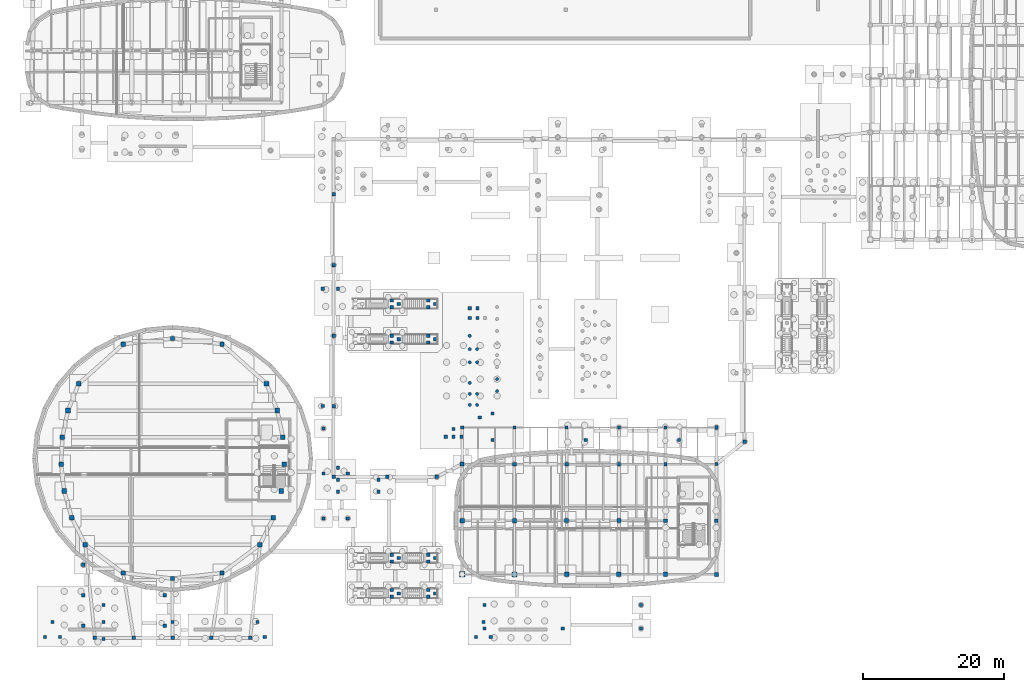
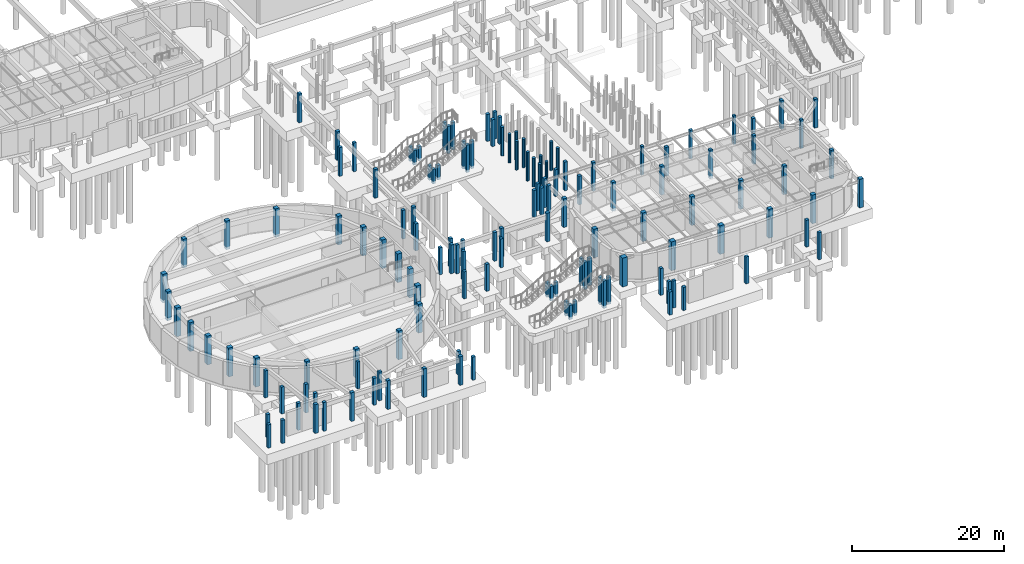
# One storey, part 9 of 45: 141 columns.
"""IFC4 building model written with IfcOpenShell, lengths in metres."""

from ifc_helpers import new_model, si_unit, direction, frame, origin, origin_2d, place, context, subcontext, project, spatial, rectangle, circle, extrude, material, material_profile, profile_set, type_object, element, save


model = new_model("IFC4")

# Units and contexts
model_context = context("Model", 3, precision=1e-05, world=origin(), true_north=direction((0.0, 1.0)))
body_context = subcontext(model_context, "Body", "Model", "MODEL_VIEW")
ifc_project = project(units=[si_unit("LENGTHUNIT", "METRE"), si_unit("AREAUNIT", "SQUARE_METRE"), si_unit("VOLUMEUNIT", "CUBIC_METRE"), si_unit("PLANEANGLEUNIT", "RADIAN"), si_unit("MASSUNIT", "GRAM", prefix="KILO")], contexts=[model_context])

# Site, building, storey
site_placement = place(None, origin())
site = spatial("IfcSite", under=ifc_project, at=site_placement, CompositionType="ELEMENT")
building_placement = place(site_placement, origin())
building = spatial("IfcBuilding", under=site, at=building_placement, Name="Corveleigh Park Community Centre", CompositionType="ELEMENT")
storey_placement = place(building_placement, frame((0.0, 0.0, -4.199951171875)))
storey = spatial("IfcBuildingStorey", under=building, at=storey_placement, Name="B1", CompositionType="ELEMENT", Elevation=-4.199951171875)

# Columns
ifc_material = material(Name="Concrete C40/50", Category="concrete")
ifc_material_profile_1 = material_profile(ifc_material, rectangle(XDim=0.3798828125, YDim=0.3798828125, at=origin_2d()), Name="RC-380x380", Category="concrete")
ifc_profile_set_1 = profile_set([ifc_material_profile_1], Name="Concrete C40/50")
column_type_1 = type_object("IfcColumnType", Name="COL-RC-380x380", PredefinedType="COLUMN", material=ifc_profile_set_1)
column_1_placement = place(storey_placement, frame((100.800048828125, 32.0, -0.4150390625), z_axis=(0.0, 0.0, 1.0), x_axis=(1.0, 0.0, 0.0)))
element("IfcColumn", 1, at=column_1_placement, inside=storey, type_object=column_type_1, Name="Column V3-X4Y3 B1", PredefinedType="COLUMN", context=body_context, shape_type="SweptSolid", body=[
    extrude(rectangle(XDim=0.3798828125, YDim=0.3798828125, at=origin_2d()), origin(), (0.0, 0.0, 1.0), 4.614990234375),
])
ifc_material_profile_2 = material_profile(ifc_material, rectangle(XDim=0.39990234375, YDim=0.39990234375, at=origin_2d()), Name="RC-400x400", Category="concrete")
ifc_profile_set_2 = profile_set([ifc_material_profile_2], Name="Concrete C40/50")
column_type_2 = type_object("IfcColumnType", Name="COL-RC-400x400", PredefinedType="COLUMN", material=ifc_profile_set_2)
column_2_placement = place(storey_placement, frame((94.199951171875, 32.0, -0.4150390625), z_axis=(0.0, 0.0, 1.0), x_axis=(1.0, 0.0, 0.0)))
element("IfcColumn", 2, at=column_2_placement, inside=storey, type_object=column_type_2, Name="Column V3-X3Y3 B1", PredefinedType="COLUMN", context=body_context, shape_type="SweptSolid", body=[
    extrude(rectangle(XDim=0.39990234375, YDim=0.39990234375, at=origin_2d()), origin(), (0.0, 0.0, 1.0), 4.614990234375),
])
ifc_material_profile_3 = material_profile(ifc_material, rectangle(XDim=0.39990234375, YDim=0.550048828125, at=origin_2d()), Name="RC-400x550", Category="concrete")
ifc_profile_set_3 = profile_set([ifc_material_profile_3], Name="Concrete C40/50")
column_type_3 = type_object("IfcColumnType", Name="COL-RC-400x550", PredefinedType="COLUMN", material=ifc_profile_set_3)
column_3_placement = place(storey_placement, frame((108.0, 32.0, -0.4150390625), z_axis=(0.0, 0.0, 1.0), x_axis=(1.0, 0.0, 0.0)))
element("IfcColumn", 3, at=column_3_placement, inside=storey, type_object=column_type_3, Name="Column V3-X5Y3 B1", PredefinedType="COLUMN", context=body_context, shape_type="SweptSolid", body=[
    extrude(rectangle(XDim=0.39990234375, YDim=0.550048828125, at=origin_2d()), origin(), (0.0, 0.0, 1.0), 4.614990234375),
])
ifc_material_profile_4 = material_profile(ifc_material, rectangle(XDim=0.425048828125, YDim=0.425048828125, at=origin_2d()), Name="RC-425x425", Category="concrete")
ifc_profile_set_4 = profile_set([ifc_material_profile_4], Name="Concrete C40/50")
column_type_4 = type_object("IfcColumnType", Name="COL-RC-425x425", PredefinedType="COLUMN", material=ifc_profile_set_4)
for number, where, z_axis, x_axis, name in (
    (4, (86.800048828125, 32.0, -0.4150390625), (0.0, 0.0, 1.0), (1.0, 0.0, 0.0), "Column V3-X2Y3 B1"),
    (5, (108.0, 26.800048828125, -0.4150390625), (0.0, 0.0, 1.0), (1.0, 0.0, 0.0), "Column V3-X5Y2 B1"),
):
    element("IfcColumn", number, at=place(storey_placement, frame(where, z_axis=z_axis, x_axis=x_axis)), inside=storey, type_object=column_type_4, Name=name, PredefinedType="COLUMN", context=body_context, shape_type="SweptSolid", body=[
        extrude(rectangle(XDim=0.425048828125, YDim=0.425048828125, at=origin_2d()), origin(), (0.0, 0.0, 1.0), 4.614990234375),
    ])
ifc_material_profile_5 = material_profile(ifc_material, rectangle(XDim=0.449951171875, YDim=0.449951171875, at=origin_2d()), Name="RC-450x450", Category="concrete")
ifc_profile_set_5 = profile_set([ifc_material_profile_5], Name="Concrete C40/50")
column_type_5 = type_object("IfcColumnType", Name="COL-RC-450x450", PredefinedType="COLUMN", material=ifc_profile_set_5)
for number, where, z_axis, x_axis, name in (
    (6, (79.39990234375, 32.0, -0.4150390625), (0.0, 0.0, 1.0), (1.0, 0.0, 0.0), "Column V3-X1Y3 B1"),
    (7, (100.800048828125, 26.800048828125, -0.4150390625), (0.0, 0.0, 1.0), (1.0, 0.0, 0.0), "Column V3-X4Y2 B1"),
):
    element("IfcColumn", number, at=place(storey_placement, frame(where, z_axis=z_axis, x_axis=x_axis)), inside=storey, type_object=column_type_5, Name=name, PredefinedType="COLUMN", context=body_context, shape_type="SweptSolid", body=[
        extrude(rectangle(XDim=0.449951171875, YDim=0.449951171875, at=origin_2d()), origin(), (0.0, 0.0, 1.0), 4.614990234375),
    ])
for number, where, z_axis, x_axis, name in (
    (8, (62.030029296875, 8.02001953125, -0.4150390625), (0.0, 0.0, 1.0), (1.0, 0.0, 0.0), "Promenade ST7 landing pier 4"),
    (9, (62.030029296875, 8.97998046875, -0.4150390625), (0.0, 0.0, 1.0), (1.0, 0.0, 0.0), "Promenade ST7 landing pier 5"),
    (10, (63.010009765625, 8.5, -0.4150390625), (0.0, 0.0, 1.0), (1.0, 0.0, 0.0), "Promenade ST7 landing pier 6"),
):
    element("IfcColumn", number, at=place(storey_placement, frame(where, z_axis=z_axis, x_axis=x_axis)), inside=storey, type_object=column_type_5, Name=name, PredefinedType="COLUMN", context=body_context, shape_type="SweptSolid", body=[
        extrude(rectangle(XDim=0.449951171875, YDim=0.449951171875, at=origin_2d()), origin(), (0.0, 0.0, 1.0), 2.319091796875),
    ])
for number, where, z_axis, x_axis, name in (
    (11, (67.18994140625, 8.02001953125, -0.4150390625), (0.0, 0.0, 1.0), (1.0, 0.0, 0.0), "Promenade ST7 landing pier 7"),
    (12, (67.18994140625, 8.97998046875, -0.4150390625), (0.0, 0.0, 1.0), (1.0, 0.0, 0.0), "Promenade ST7 landing pier 8"),
    (13, (68.139892578125, 8.5, -0.4150390625), (0.0, 0.0, 1.0), (1.0, 0.0, 0.0), "Promenade ST7 landing pier 9"),
):
    element("IfcColumn", number, at=place(storey_placement, frame(where, z_axis=z_axis, x_axis=x_axis)), inside=storey, type_object=column_type_5, Name=name, PredefinedType="COLUMN", context=body_context, shape_type="SweptSolid", body=[
        extrude(rectangle(XDim=0.449951171875, YDim=0.449951171875, at=origin_2d()), origin(), (0.0, 0.0, 1.0), 4.4189453125),
    ])
for number, where, z_axis, x_axis, name in (
    (14, (62.030029296875, 13.02001953125, -0.4150390625), (0.0, 0.0, 1.0), (1.0, 0.0, 0.0), "Promenade ST8 landing pier 13"),
    (15, (62.030029296875, 13.97998046875, -0.4150390625), (0.0, 0.0, 1.0), (1.0, 0.0, 0.0), "Promenade ST8 landing pier 14"),
    (16, (63.010009765625, 13.5, -0.4150390625), (0.0, 0.0, 1.0), (1.0, 0.0, 0.0), "Promenade ST8 landing pier 15"),
):
    element("IfcColumn", number, at=place(storey_placement, frame(where, z_axis=z_axis, x_axis=x_axis)), inside=storey, type_object=column_type_5, Name=name, PredefinedType="COLUMN", context=body_context, shape_type="SweptSolid", body=[
        extrude(rectangle(XDim=0.449951171875, YDim=0.449951171875, at=origin_2d()), origin(), (0.0, 0.0, 1.0), 2.319091796875),
    ])
for number, where, z_axis, x_axis, name in (
    (17, (67.18994140625, 13.02001953125, -0.4150390625), (0.0, 0.0, 1.0), (1.0, 0.0, 0.0), "Promenade ST8 landing pier 16"),
    (18, (67.18994140625, 13.97998046875, -0.4150390625), (0.0, 0.0, 1.0), (1.0, 0.0, 0.0), "Promenade ST8 landing pier 17"),
    (19, (68.139892578125, 13.5, -0.4150390625), (0.0, 0.0, 1.0), (1.0, 0.0, 0.0), "Promenade ST8 landing pier 18"),
):
    element("IfcColumn", number, at=place(storey_placement, frame(where, z_axis=z_axis, x_axis=x_axis)), inside=storey, type_object=column_type_5, Name=name, PredefinedType="COLUMN", context=body_context, shape_type="SweptSolid", body=[
        extrude(rectangle(XDim=0.449951171875, YDim=0.449951171875, at=origin_2d()), origin(), (0.0, 0.0, 1.0), 4.4189453125),
    ])
for number, where, z_axis, x_axis, name in (
    (20, (62.030029296875, 44.02001953125, -0.4150390625), (0.0, 0.0, 1.0), (1.0, 0.0, 0.0), "Promenade ST9 landing pier 22"),
    (21, (62.030029296875, 44.97998046875, -0.4150390625), (0.0, 0.0, 1.0), (1.0, 0.0, 0.0), "Promenade ST9 landing pier 23"),
    (22, (63.010009765625, 44.5, -0.4150390625), (0.0, 0.0, 1.0), (1.0, 0.0, 0.0), "Promenade ST9 landing pier 24"),
):
    element("IfcColumn", number, at=place(storey_placement, frame(where, z_axis=z_axis, x_axis=x_axis)), inside=storey, type_object=column_type_5, Name=name, PredefinedType="COLUMN", context=body_context, shape_type="SweptSolid", body=[
        extrude(rectangle(XDim=0.449951171875, YDim=0.449951171875, at=origin_2d()), origin(), (0.0, 0.0, 1.0), 2.319091796875),
    ])
for number, where, z_axis, x_axis, name in (
    (23, (67.18994140625, 44.02001953125, -0.4150390625), (0.0, 0.0, 1.0), (1.0, 0.0, 0.0), "Promenade ST9 landing pier 25"),
    (24, (67.18994140625, 44.97998046875, -0.4150390625), (0.0, 0.0, 1.0), (1.0, 0.0, 0.0), "Promenade ST9 landing pier 26"),
    (25, (68.139892578125, 44.5, -0.4150390625), (0.0, 0.0, 1.0), (1.0, 0.0, 0.0), "Promenade ST9 landing pier 27"),
):
    element("IfcColumn", number, at=place(storey_placement, frame(where, z_axis=z_axis, x_axis=x_axis)), inside=storey, type_object=column_type_5, Name=name, PredefinedType="COLUMN", context=body_context, shape_type="SweptSolid", body=[
        extrude(rectangle(XDim=0.449951171875, YDim=0.449951171875, at=origin_2d()), origin(), (0.0, 0.0, 1.0), 4.4189453125),
    ])
for number, where, z_axis, x_axis, name in (
    (26, (62.030029296875, 49.02001953125, -0.4150390625), (0.0, 0.0, 1.0), (1.0, 0.0, 0.0), "Promenade ST10 landing pier 31"),
    (27, (62.030029296875, 49.97998046875, -0.4150390625), (0.0, 0.0, 1.0), (1.0, 0.0, 0.0), "Promenade ST10 landing pier 32"),
    (28, (63.010009765625, 49.5, -0.4150390625), (0.0, 0.0, 1.0), (1.0, 0.0, 0.0), "Promenade ST10 landing pier 33"),
):
    element("IfcColumn", number, at=place(storey_placement, frame(where, z_axis=z_axis, x_axis=x_axis)), inside=storey, type_object=column_type_5, Name=name, PredefinedType="COLUMN", context=body_context, shape_type="SweptSolid", body=[
        extrude(rectangle(XDim=0.449951171875, YDim=0.449951171875, at=origin_2d()), origin(), (0.0, 0.0, 1.0), 2.319091796875),
    ])
for number, where, z_axis, x_axis, name in (
    (29, (67.18994140625, 49.02001953125, -0.4150390625), (0.0, 0.0, 1.0), (1.0, 0.0, 0.0), "Promenade ST10 landing pier 34"),
    (30, (67.18994140625, 49.97998046875, -0.4150390625), (0.0, 0.0, 1.0), (1.0, 0.0, 0.0), "Promenade ST10 landing pier 35"),
    (31, (68.139892578125, 49.5, -0.4150390625), (0.0, 0.0, 1.0), (1.0, 0.0, 0.0), "Promenade ST10 landing pier 36"),
):
    element("IfcColumn", number, at=place(storey_placement, frame(where, z_axis=z_axis, x_axis=x_axis)), inside=storey, type_object=column_type_5, Name=name, PredefinedType="COLUMN", context=body_context, shape_type="SweptSolid", body=[
        extrude(rectangle(XDim=0.449951171875, YDim=0.449951171875, at=origin_2d()), origin(), (0.0, 0.0, 1.0), 4.4189453125),
    ])
for number, where, z_axis, x_axis, name in (
    (32, (12.949951171875, 2.35009765625, -0.4150390625), (0.0, 0.0, 1.0), (1.0, 0.0, 0.0), "External deck support pier 55 B1"),
    (33, (15.050048828125, 2.35009765625, -0.4150390625), (0.0, 0.0, 1.0), (1.0, 0.0, 0.0), "External deck support pier 56 B1"),
    (34, (14.0, 4.449951171875, -0.4150390625), (0.0, 0.0, 1.0), (1.0, 0.0, 0.0), "External deck support pier 57 B1"),
    (35, (44.050048828125, 2.35009765625, -0.4150390625), (0.0, 0.0, 1.0), (1.0, 0.0, 0.0), "External deck support pier 58 B1"),
    (36, (43.0, 4.449951171875, -0.4150390625), (0.0, 0.0, 1.0), (1.0, 0.0, 0.0), "External deck support pier 59 B1"),
    (37, (73.949951171875, 2.35009765625, -0.4150390625), (0.0, 0.0, 1.0), (1.0, 0.0, 0.0), "External deck support pier 60 B1"),
    (38, (76.050048828125, 2.35009765625, -0.4150390625), (0.0, 0.0, 1.0), (1.0, 0.0, 0.0), "External deck support pier 61 B1"),
    (39, (75.0, 4.449951171875, -0.4150390625), (0.0, 0.0, 1.0), (1.0, 0.0, 0.0), "External deck support pier 62 B1"),
):
    element("IfcColumn", number, at=place(storey_placement, frame(where, z_axis=z_axis, x_axis=x_axis)), inside=storey, type_object=column_type_5, Name=name, PredefinedType="COLUMN", context=body_context, shape_type="SweptSolid", body=[
        extrude(rectangle(XDim=0.449951171875, YDim=0.449951171875, at=origin_2d()), origin(), (0.0, 0.0, 1.0), 3.73291015625),
    ])
for number, where, z_axis, x_axis, name in (
    (40, (76.283935546875, 30.241943359375, -0.4150390625), (0.0, 0.0, 1.0), (1.0, 0.0, 0.0), "External deck support pier 127 B1"),
    (41, (76.283935546875, 33.967041015625, -0.4150390625), (0.0, 0.0, 1.0), (1.0, 0.0, 0.0), "External deck support pier 128 B1"),
    (42, (89.5, 30.241943359375, -0.4150390625), (0.0, 0.0, 1.0), (1.0, 0.0, 0.0), "External deck support pier 129 B1"),
    (43, (102.716064453125, 30.241943359375, -0.4150390625), (0.0, 0.0, 1.0), (1.0, 0.0, 0.0), "External deck support pier 130 B1"),
):
    element("IfcColumn", number, at=place(storey_placement, frame(where, z_axis=z_axis, x_axis=x_axis)), inside=storey, type_object=column_type_5, Name=name, PredefinedType="COLUMN", context=body_context, shape_type="SweptSolid", body=[
        extrude(rectangle(XDim=0.449951171875, YDim=0.449951171875, at=origin_2d()), origin(), (0.0, 0.0, 1.0), 4.614990234375),
    ])
for number, where, z_axis, x_axis, name in (
    (44, (18.35205078125, 3.922119140625, -0.4150390625), (0.0, 0.0, 1.0), (1.0, 0.0, 0.0), "External deck support pier 141 B1"),
    (45, (18.35205078125, 8.235107421875, -0.4150390625), (0.0, 0.0, 1.0), (1.0, 0.0, 0.0), "External deck support pier 142 B1"),
    (46, (18.35205078125, 12.548095703125, -0.4150390625), (0.0, 0.0, 1.0), (1.0, 0.0, 0.0), "External deck support pier 143 B1"),
    (47, (29.89306640625, 3.922119140625, -0.4150390625), (0.0, 0.0, 1.0), (1.0, 0.0, 0.0), "External deck support pier 144 B1"),
    (48, (29.89306640625, 8.235107421875, -0.4150390625), (0.0, 0.0, 1.0), (1.0, 0.0, 0.0), "External deck support pier 145 B1"),
    (49, (52.367919921875, 19.125, -0.4150390625), (0.0, 0.0, 1.0), (1.0, 0.0, 0.0), "External deck support pier 146 B1"),
    (50, (52.367919921875, 25.49609375, -0.4150390625), (0.0, 0.0, 1.0), (1.0, 0.0, 0.0), "External deck support pier 147 B1"),
    (51, (52.367919921875, 31.866943359375, -0.4150390625), (0.0, 0.0, 1.0), (1.0, 0.0, 0.0), "External deck support pier 148 B1"),
    (52, (55.803955078125, 19.125, -0.4150390625), (0.0, 0.0, 1.0), (1.0, 0.0, 0.0), "External deck support pier 149 B1"),
    (53, (55.803955078125, 25.49609375, -0.4150390625), (0.0, 0.0, 1.0), (1.0, 0.0, 0.0), "External deck support pier 150 B1"),
    (54, (75.169921875, 3.535888671875, -0.4150390625), (0.0, 0.0, 1.0), (1.0, 0.0, 0.0), "External deck support pier 151 B1"),
    (55, (75.169921875, 6.866943359375, -0.4150390625), (0.0, 0.0, 1.0), (1.0, 0.0, 0.0), "External deck support pier 152 B1"),
    (56, (86.25390625, 3.535888671875, -0.4150390625), (0.0, 0.0, 1.0), (1.0, 0.0, 0.0), "External deck support pier 153 B1"),
    (57, (97.337890625, 3.535888671875, -0.4150390625), (0.0, 0.0, 1.0), (1.0, 0.0, 0.0), "External deck support pier 154 B1"),
    (58, (97.337890625, 6.866943359375, -0.4150390625), (0.0, 0.0, 1.0), (1.0, 0.0, 0.0), "External deck support pier 155 B1"),
    (59, (74.501953125, 33.423095703125, -0.4150390625), (0.0, 0.0, 1.0), (1.0, 0.0, 0.0), "External deck support pier 156 B1"),
    (60, (70.7890625, 30.696044921875, -0.4150390625), (0.0, 0.0, 1.0), (1.0, 0.0, 0.0), "External deck support pier 157 B1"),
    (61, (71.888916015625, 30.696044921875, -0.4150390625), (0.0, 0.0, 1.0), (1.0, 0.0, 0.0), "External deck support pier 158 B1"),
    (62, (70.7890625, 31.7958984375, -0.4150390625), (0.0, 0.0, 1.0), (1.0, 0.0, 0.0), "External deck support pier 159 B1"),
    (63, (69.68896484375, 30.696044921875, -0.4150390625), (0.0, 0.0, 1.0), (1.0, 0.0, 0.0), "External deck support pier 160 B1"),
    (64, (73.0791015625, 47.513916015625, -0.4150390625), (0.0, 0.0, 1.0), (1.0, 0.0, 0.0), "External deck support pier 161 B1"),
    (65, (73.0791015625, 48.885986328125, -0.4150390625), (0.0, 0.0, 1.0), (1.0, 0.0, 0.0), "External deck support pier 162 B1"),
    (66, (74.14990234375, 47.513916015625, -0.4150390625), (0.0, 0.0, 1.0), (1.0, 0.0, 0.0), "External deck support pier 163 B1"),
    (67, (74.14990234375, 48.885986328125, -0.4150390625), (0.0, 0.0, 1.0), (1.0, 0.0, 0.0), "External deck support pier 164 B1"),
):
    element("IfcColumn", number, at=place(storey_placement, frame(where, z_axis=z_axis, x_axis=x_axis)), inside=storey, type_object=column_type_5, Name=name, PredefinedType="COLUMN", context=body_context, shape_type="SweptSolid", body=[
        extrude(rectangle(XDim=0.449951171875, YDim=0.449951171875, at=origin_2d()), origin(), (0.0, 0.0, 1.0), 4.3330078125),
    ])
for number, where, z_axis, x_axis, name in (
    (68, (54.39697265625, 22.89306640625, -0.4150390625), (0.0, 0.0, 1.0), (1.0, 0.0, 0.0), "External deck support pier 210 B1"),
    (69, (54.39697265625, 24.60009765625, -0.4150390625), (0.0, 0.0, 1.0), (1.0, 0.0, 0.0), "External deck support pier 211 B1"),
    (70, (54.39697265625, 26.306884765625, -0.4150390625), (0.0, 0.0, 1.0), (1.0, 0.0, 0.0), "External deck support pier 212 B1"),
    (71, (60.155029296875, 22.89306640625, -0.4150390625), (0.0, 0.0, 1.0), (1.0, 0.0, 0.0), "External deck support pier 213 B1"),
    (72, (60.155029296875, 24.60009765625, -0.4150390625), (0.0, 0.0, 1.0), (1.0, 0.0, 0.0), "External deck support pier 214 B1"),
    (73, (52.260986328125, 35.0380859375, -0.4150390625), (0.0, 0.0, 1.0), (1.0, 0.0, 0.0), "External deck support pier 215 B1"),
    (74, (52.260986328125, 51.64990234375, -0.4150390625), (0.0, 0.0, 1.0), (1.0, 0.0, 0.0), "External deck support pier 216 B1"),
    (75, (54.39990234375, 51.64990234375, -0.4150390625), (0.0, 0.0, 1.0), (1.0, 0.0, 0.0), "External deck support pier 218 B1"),
    (76, (21.2119140625, 2.0419921875, -0.4150390625), (0.0, 0.0, 1.0), (1.0, 0.0, 0.0), "External deck support pier 238 B1"),
    (77, (21.2119140625, 4.447998046875, -0.4150390625), (0.0, 0.0, 1.0), (1.0, 0.0, 0.0), "External deck support pier 239 B1"),
    (78, (21.2119140625, 6.85498046875, -0.4150390625), (0.0, 0.0, 1.0), (1.0, 0.0, 0.0), "External deck support pier 240 B1"),
    (79, (31.0, 4.447998046875, -0.4150390625), (0.0, 0.0, 1.0), (1.0, 0.0, 0.0), "External deck support pier 241 B1"),
):
    element("IfcColumn", number, at=place(storey_placement, frame(where, z_axis=z_axis, x_axis=x_axis)), inside=storey, type_object=column_type_5, Name=name, PredefinedType="COLUMN", context=body_context, shape_type="SweptSolid", body=[
        extrude(rectangle(XDim=0.449951171875, YDim=0.449951171875, at=origin_2d()), origin(), (0.0, 0.0, 1.0), 4.614990234375),
    ])
ifc_material_profile_6 = material_profile(ifc_material, rectangle(XDim=0.47509765625, YDim=0.47509765625, at=origin_2d()), Name="RC-475x475", Category="concrete")
ifc_profile_set_6 = profile_set([ifc_material_profile_6], Name="Concrete C40/50")
column_type_6 = type_object("IfcColumnType", Name="COL-RC-475x475", PredefinedType="COLUMN", material=ifc_profile_set_6)
for number, where, z_axis, x_axis, name in (
    (80, (72.0, 32.0, -0.4150390625), (0.0, 0.0, 1.0), (1.0, 0.0, 0.0), "Column V3-X0Y3 B1"),
    (81, (94.199951171875, 26.800048828125, -0.4150390625), (0.0, 0.0, 1.0), (1.0, 0.0, 0.0), "Column V3-X3Y2 B1"),
):
    element("IfcColumn", number, at=place(storey_placement, frame(where, z_axis=z_axis, x_axis=x_axis)), inside=storey, type_object=column_type_6, Name=name, PredefinedType="COLUMN", context=body_context, shape_type="SweptSolid", body=[
        extrude(rectangle(XDim=0.47509765625, YDim=0.47509765625, at=origin_2d()), origin(), (0.0, 0.0, 1.0), 4.614990234375),
    ])
ifc_material_profile_7 = material_profile(ifc_material, rectangle(XDim=0.5, YDim=0.5, at=origin_2d()), Name="RC-500x500", Category="concrete")
ifc_profile_set_7 = profile_set([ifc_material_profile_7], Name="Concrete C40/50")
column_type_7 = type_object("IfcColumnType", Name="COL-RC-500x500", PredefinedType="COLUMN", material=ifc_profile_set_7)
for number, where, z_axis, x_axis, name in (
    (82, (20.0, 2.199951171875, -0.4150390625), (0.0, 0.0, 1.0), (1.0, 0.0, 0.0), "Column V1-CAN1 B1"),
    (83, (25.5, 2.199951171875, -0.4150390625), (0.0, 0.0, 1.0), (1.0, 0.0, 0.0), "Column V1-CAN2 B1"),
    (84, (31.0, 2.199951171875, -0.4150390625), (0.0, 0.0, 1.0), (1.0, 0.0, 0.0), "Column V1-CAN3 B1"),
    (85, (36.5, 2.199951171875, -0.4150390625), (0.0, 0.0, 1.0), (1.0, 0.0, 0.0), "Column V1-CAN4 B1"),
    (86, (42.0, 2.199951171875, -0.4150390625), (0.0, 0.0, 1.0), (1.0, 0.0, 0.0), "Column V1-CAN5 B1"),
    (87, (86.800048828125, 26.800048828125, -0.4150390625), (0.0, 0.0, 1.0), (1.0, 0.0, 0.0), "Column V3-X2Y2 B1"),
    (88, (108.0, 18.800048828125, -0.4150390625), (0.0, 0.0, 1.0), (1.0, 0.0, 0.0), "Column V3-X5Y1 B1"),
    (89, (53.800048828125, 25.0, -0.4150390625), (0.0, 0.0, 1.0), (1.0, 0.0, 0.0), "Column V5-S1 B1"),
    (90, (61.39990234375, 25.0, -0.4150390625), (0.0, 0.0, 1.0), (1.0, 0.0, 0.0), "Column V5-S2 B1"),
    (91, (68.39990234375, 25.0, -0.4150390625), (0.0, 0.0, 1.0), (1.0, 0.0, 0.0), "Column V5-S3 B1"),
    (92, (53.800048828125, 35.0, -0.4150390625), (0.0, 0.0, 1.0), (1.0, 0.0, 0.0), "Column V5-W1 B1"),
    (93, (53.800048828125, 45.0, -0.4150390625), (0.0, 0.0, 1.0), (1.0, 0.0, 0.0), "Column V5-W2 B1"),
    (94, (53.800048828125, 55.0, -0.4150390625), (0.0, 0.0, 1.0), (1.0, 0.0, 0.0), "Column V5-W3 B1"),
    (95, (53.800048828125, 65.0, -0.4150390625), (0.0, 0.0, 1.0), (1.0, 0.0, 0.0), "Column V5-W4 B1"),
    (96, (112.0, 30.0, -0.4150390625), (0.0, 0.0, 1.0), (1.0, 0.0, 0.0), "Column V5-E4 B1"),
):
    element("IfcColumn", number, at=place(storey_placement, frame(where, z_axis=z_axis, x_axis=x_axis)), inside=storey, type_object=column_type_7, Name=name, PredefinedType="COLUMN", context=body_context, shape_type="SweptSolid", body=[
        extrude(rectangle(XDim=0.5, YDim=0.5, at=origin_2d()), origin(), (0.0, 0.0, 1.0), 4.614990234375),
    ])
ifc_material_profile_8 = material_profile(ifc_material, rectangle(XDim=0.52490234375, YDim=0.52490234375, at=origin_2d()), Name="RC-525x525", Category="concrete")
ifc_profile_set_8 = profile_set([ifc_material_profile_8], Name="Concrete C40/50")
column_type_8 = type_object("IfcColumnType", Name="COL-RC-525x525", PredefinedType="COLUMN", material=ifc_profile_set_8)
for number, where, z_axis, x_axis, name in (
    (97, (79.39990234375, 26.800048828125, -0.4150390625), (0.0, 0.0, 1.0), (1.0, 0.0, 0.0), "Column V3-X1Y2 B1"),
    (98, (100.800048828125, 18.800048828125, -0.4150390625), (0.0, 0.0, 1.0), (1.0, 0.0, 0.0), "Column V3-X4Y1 B1"),
):
    element("IfcColumn", number, at=place(storey_placement, frame(where, z_axis=z_axis, x_axis=x_axis)), inside=storey, type_object=column_type_8, Name=name, PredefinedType="COLUMN", context=body_context, shape_type="SweptSolid", body=[
        extrude(rectangle(XDim=0.52490234375, YDim=0.52490234375, at=origin_2d()), origin(), (0.0, 0.0, 1.0), 4.614990234375),
    ])
ifc_material_profile_9 = material_profile(ifc_material, rectangle(XDim=0.550048828125, YDim=0.550048828125, at=origin_2d()), Name="RC-550x550", Category="concrete")
ifc_profile_set_9 = profile_set([ifc_material_profile_9], Name="Concrete C40/50")
column_type_9 = type_object("IfcColumnType", Name="COL-RC-550x550", PredefinedType="COLUMN", material=ifc_profile_set_9)
for number, where, z_axis, x_axis, name in (
    (99, (72.0, 26.800048828125, -0.4150390625), (0.0, 0.0, 1.0), (1.0, 0.0, 0.0), "Column V3-X0Y2 B1"),
    (100, (94.199951171875, 18.800048828125, -0.4150390625), (0.0, 0.0, 1.0), (1.0, 0.0, 0.0), "Column V3-X3Y1 B1"),
):
    element("IfcColumn", number, at=place(storey_placement, frame(where, z_axis=z_axis, x_axis=x_axis)), inside=storey, type_object=column_type_9, Name=name, PredefinedType="COLUMN", context=body_context, shape_type="SweptSolid", body=[
        extrude(rectangle(XDim=0.550048828125, YDim=0.550048828125, at=origin_2d()), origin(), (0.0, 0.0, 1.0), 4.614990234375),
    ])
ifc_material_profile_10 = material_profile(ifc_material, rectangle(XDim=0.574951171875, YDim=0.574951171875, at=origin_2d()), Name="RC-575x575", Category="concrete")
ifc_profile_set_10 = profile_set([ifc_material_profile_10], Name="Concrete C40/50")
column_type_10 = type_object("IfcColumnType", Name="COL-RC-575x575", PredefinedType="COLUMN", material=ifc_profile_set_10)
for number, where, z_axis, x_axis, name in (
    (101, (86.800048828125, 18.800048828125, -0.4150390625), (0.0, 0.0, 1.0), (1.0, 0.0, 0.0), "Column V3-X2Y1 B1"),
    (102, (108.0, 11.199951171875, -0.4150390625), (0.0, 0.0, 1.0), (1.0, 0.0, 0.0), "Column V3-X5Y0 B1"),
):
    element("IfcColumn", number, at=place(storey_placement, frame(where, z_axis=z_axis, x_axis=x_axis)), inside=storey, type_object=column_type_10, Name=name, PredefinedType="COLUMN", context=body_context, shape_type="SweptSolid", body=[
        extrude(rectangle(XDim=0.574951171875, YDim=0.574951171875, at=origin_2d()), origin(), (0.0, 0.0, 1.0), 4.614990234375),
    ])
ifc_material_profile_11 = material_profile(ifc_material, rectangle(XDim=0.60009765625, YDim=0.60009765625, at=origin_2d()), Name="RC-600x600", Category="concrete")
ifc_profile_set_11 = profile_set([ifc_material_profile_11], Name="Concrete C40/50")
column_type_11 = type_object("IfcColumnType", Name="COL-RC-600x600", PredefinedType="COLUMN", material=ifc_profile_set_11)
for number, where, z_axis, x_axis, name in (
    (103, (24.0, 11.39990234375, -0.4150390625), (0.0, 0.0, 1.0), (1.0, 0.0, 0.0), "Column V1-S1 B1"),
    (104, (31.0, 10.60009765625, -0.4150390625), (0.0, 0.0, 1.0), (1.0, 0.0, 0.0), "Column V1-S2 B1"),
    (105, (38.0, 11.39990234375, -0.4150390625), (0.0, 0.0, 1.0), (1.0, 0.0, 0.0), "Column V1-S3 B1"),
    (106, (24.0, 43.800048828125, -0.4150390625), (0.0, 0.0, 1.0), (1.0, 0.0, 0.0), "Column V1-N1 B1"),
    (107, (31.0, 44.60009765625, -0.4150390625), (0.0, 0.0, 1.0), (1.0, 0.0, 0.0), "Column V1-N2 B1"),
    (108, (38.0, 43.800048828125, -0.4150390625), (0.0, 0.0, 1.0), (1.0, 0.0, 0.0), "Column V1-N3 B1"),
    (109, (79.39990234375, 18.800048828125, -0.4150390625), (0.0, 0.0, 1.0), (1.0, 0.0, 0.0), "Column V3-X1Y1 B1"),
    (110, (100.800048828125, 11.199951171875, -0.4150390625), (0.0, 0.0, 1.0), (1.0, 0.0, 0.0), "Column V3-X4Y0 B1"),
):
    element("IfcColumn", number, at=place(storey_placement, frame(where, z_axis=z_axis, x_axis=x_axis)), inside=storey, type_object=column_type_11, Name=name, PredefinedType="COLUMN", context=body_context, shape_type="SweptSolid", body=[
        extrude(rectangle(XDim=0.60009765625, YDim=0.60009765625, at=origin_2d()), origin(), (0.0, 0.0, 1.0), 4.614990234375),
    ])
ifc_material_profile_12 = material_profile(ifc_material, rectangle(XDim=0.625, YDim=0.625, at=origin_2d()), Name="RC-625x625", Category="concrete")
ifc_profile_set_12 = profile_set([ifc_material_profile_12], Name="Concrete C40/50")
column_type_12 = type_object("IfcColumnType", Name="COL-RC-625x625", PredefinedType="COLUMN", material=ifc_profile_set_12)
for number, where, z_axis, x_axis, name in (
    (111, (72.0, 18.800048828125, -0.4150390625), (0.0, 0.0, 1.0), (1.0, 0.0, 0.0), "Column V3-X0Y1 B1"),
    (112, (94.199951171875, 11.199951171875, -0.4150390625), (0.0, 0.0, 1.0), (1.0, 0.0, 0.0), "Column V3-X3Y0 B1"),
):
    element("IfcColumn", number, at=place(storey_placement, frame(where, z_axis=z_axis, x_axis=x_axis)), inside=storey, type_object=column_type_12, Name=name, PredefinedType="COLUMN", context=body_context, shape_type="SweptSolid", body=[
        extrude(rectangle(XDim=0.625, YDim=0.625, at=origin_2d()), origin(), (0.0, 0.0, 1.0), 4.614990234375),
    ])
ifc_material_profile_13 = material_profile(ifc_material, rectangle(XDim=0.64990234375, YDim=0.64990234375, at=origin_2d()), Name="RC-650x650", Category="concrete")
ifc_profile_set_13 = profile_set([ifc_material_profile_13], Name="Concrete C40/50")
column_type_13 = type_object("IfcColumnType", Name="COL-RC-650x650", PredefinedType="COLUMN", material=ifc_profile_set_13)
for number, where, z_axis, x_axis, name in (
    (113, (18.634033203125, 15.39990234375, -0.4150390625), (0.0, 0.0, 1.0), (1.0, 0.0, 0.0), "Column V1-W1 B1"),
    (114, (43.365966796875, 15.39990234375, -0.4150390625), (0.0, 0.0, 1.0), (1.0, 0.0, 0.0), "Column V1-E1 B1"),
    (115, (16.72509765625, 19.199951171875, -0.4150390625), (0.0, 0.0, 1.0), (1.0, 0.0, 0.0), "Column V1-W2 B1"),
    (116, (45.27490234375, 19.199951171875, -0.4150390625), (0.0, 0.0, 1.0), (1.0, 0.0, 0.0), "Column V1-E2 B1"),
    (117, (15.64111328125, 23.0, -0.4150390625), (0.0, 0.0, 1.0), (1.0, 0.0, 0.0), "Column V1-W3 B1"),
    (118, (46.35888671875, 23.0, -0.4150390625), (0.0, 0.0, 1.0), (1.0, 0.0, 0.0), "Column V1-E3 B1"),
    (119, (15.212890625, 26.800048828125, -0.4150390625), (0.0, 0.0, 1.0), (1.0, 0.0, 0.0), "Column V1-W4 B1"),
    (120, (46.787109375, 26.800048828125, -0.4150390625), (0.0, 0.0, 1.0), (1.0, 0.0, 0.0), "Column V1-E4 B1"),
    (121, (15.385986328125, 30.60009765625, -0.4150390625), (0.0, 0.0, 1.0), (1.0, 0.0, 0.0), "Column V1-W5 B1"),
    (122, (46.614013671875, 30.60009765625, -0.4150390625), (0.0, 0.0, 1.0), (1.0, 0.0, 0.0), "Column V1-E5 B1"),
    (123, (16.180908203125, 34.39990234375, -0.4150390625), (0.0, 0.0, 1.0), (1.0, 0.0, 0.0), "Column V1-W6 B1"),
    (124, (45.819091796875, 34.39990234375, -0.4150390625), (0.0, 0.0, 1.0), (1.0, 0.0, 0.0), "Column V1-E6 B1"),
    (125, (17.7099609375, 38.199951171875, -0.4150390625), (0.0, 0.0, 1.0), (1.0, 0.0, 0.0), "Column V1-W7 B1"),
    (126, (44.2900390625, 38.199951171875, -0.4150390625), (0.0, 0.0, 1.0), (1.0, 0.0, 0.0), "Column V1-E7 B1"),
    (127, (86.800048828125, 11.199951171875, -0.4150390625), (0.0, 0.0, 1.0), (1.0, 0.0, 0.0), "Column V3-X2Y0 B1"),
):
    element("IfcColumn", number, at=place(storey_placement, frame(where, z_axis=z_axis, x_axis=x_axis)), inside=storey, type_object=column_type_13, Name=name, PredefinedType="COLUMN", context=body_context, shape_type="SweptSolid", body=[
        extrude(rectangle(XDim=0.64990234375, YDim=0.64990234375, at=origin_2d()), origin(), (0.0, 0.0, 1.0), 4.614990234375),
    ])
ifc_material_profile_14 = material_profile(ifc_material, rectangle(XDim=0.699951171875, YDim=0.699951171875, at=origin_2d()), Name="RC-700x700", Category="concrete")
ifc_profile_set_14 = profile_set([ifc_material_profile_14], Name="Concrete C40/50")
column_type_14 = type_object("IfcColumnType", Name="COL-RC-700x700", PredefinedType="COLUMN", material=ifc_profile_set_14)
column_4_placement = place(storey_placement, frame((79.39990234375, 11.199951171875, -0.4150390625), z_axis=(0.0, 0.0, 1.0), x_axis=(1.0, 0.0, 0.0)))
element("IfcColumn", 128, at=column_4_placement, inside=storey, type_object=column_type_14, Name="Column V3-X1Y0 B1", PredefinedType="COLUMN", context=body_context, shape_type="SweptSolid", body=[
    extrude(rectangle(XDim=0.699951171875, YDim=0.699951171875, at=origin_2d()), origin(), (0.0, 0.0, 1.0), 4.614990234375),
])
ifc_material_profile_15 = material_profile(ifc_material, rectangle(XDim=0.75, YDim=0.75, at=origin_2d()), Name="RC-750x750", Category="concrete")
ifc_profile_set_15 = profile_set([ifc_material_profile_15], Name="Concrete C40/50")
column_type_15 = type_object("IfcColumnType", Name="COL-RC-750x750", PredefinedType="COLUMN", material=ifc_profile_set_15)
column_5_placement = place(storey_placement, frame((72.0, 11.199951171875, -0.4150390625), z_axis=(0.0, 0.0, 1.0), x_axis=(1.0, 0.0, 0.0)))
element("IfcColumn", 129, at=column_5_placement, inside=storey, type_object=column_type_15, Name="Column V3-X0Y0 B1", PredefinedType="COLUMN", context=body_context, shape_type="SweptSolid", body=[
    extrude(rectangle(XDim=0.75, YDim=0.75, at=origin_2d()), origin(), (0.0, 0.0, 1.0), 4.614990234375),
])
ifc_material_profile_16 = material_profile(ifc_material, circle(Radius=0.22509765625, at=origin_2d()), Name="RC-450D", Category="concrete")
ifc_profile_set_16 = profile_set([ifc_material_profile_16], Name="Concrete C40/50")
column_type_16 = type_object("IfcColumnType", Name="COL-RCE-450D", PredefinedType="COLUMN", material=ifc_profile_set_16)
for number, where, z_axis, x_axis, name in (
    (130, (76.951904296875, 37.14990234375, -0.4150390625), (0.0, 0.0, 1.0), (1.0, 0.0, 0.0), "External deck support pier 94 B1"),
    (131, (76.951904296875, 38.85009765625, -0.4150390625), (0.0, 0.0, 1.0), (1.0, 0.0, 0.0), "External deck support pier 95 B1"),
    (132, (73.072021484375, 41.22412109375, -0.4150390625), (0.0, 0.0, 1.0), (1.0, 0.0, 0.0), "External deck support pier 190 B1"),
    (133, (73.072021484375, 43.10009765625, -0.4150390625), (0.0, 0.0, 1.0), (1.0, 0.0, 0.0), "External deck support pier 191 B1"),
    (134, (73.072021484375, 44.97607421875, -0.4150390625), (0.0, 0.0, 1.0), (1.0, 0.0, 0.0), "External deck support pier 192 B1"),
    (135, (74.125, 41.22412109375, -0.4150390625), (0.0, 0.0, 1.0), (1.0, 0.0, 0.0), "External deck support pier 193 B1"),
    (136, (74.125, 43.10009765625, -0.4150390625), (0.0, 0.0, 1.0), (1.0, 0.0, 0.0), "External deck support pier 194 B1"),
    (137, (73.072021484375, 35.18896484375, -0.4150390625), (0.0, 0.0, 1.0), (1.0, 0.0, 0.0), "External deck support pier 200 B1"),
    (138, (73.072021484375, 36.75, -0.4150390625), (0.0, 0.0, 1.0), (1.0, 0.0, 0.0), "External deck support pier 201 B1"),
    (139, (73.072021484375, 38.31103515625, -0.4150390625), (0.0, 0.0, 1.0), (1.0, 0.0, 0.0), "External deck support pier 202 B1"),
    (140, (74.125, 35.18896484375, -0.4150390625), (0.0, 0.0, 1.0), (1.0, 0.0, 0.0), "External deck support pier 203 B1"),
    (141, (74.125, 36.75, -0.4150390625), (0.0, 0.0, 1.0), (1.0, 0.0, 0.0), "External deck support pier 204 B1"),
):
    element("IfcColumn", number, at=place(storey_placement, frame(where, z_axis=z_axis, x_axis=x_axis)), inside=storey, type_object=column_type_16, Name=name, PredefinedType="COLUMN", context=body_context, shape_type="SweptSolid", body=[
        extrude(circle(Radius=0.22509765625, at=origin_2d()), origin(), (0.0, 0.0, 1.0), 4.614990234375),
    ])

save(model, "model.ifc")
